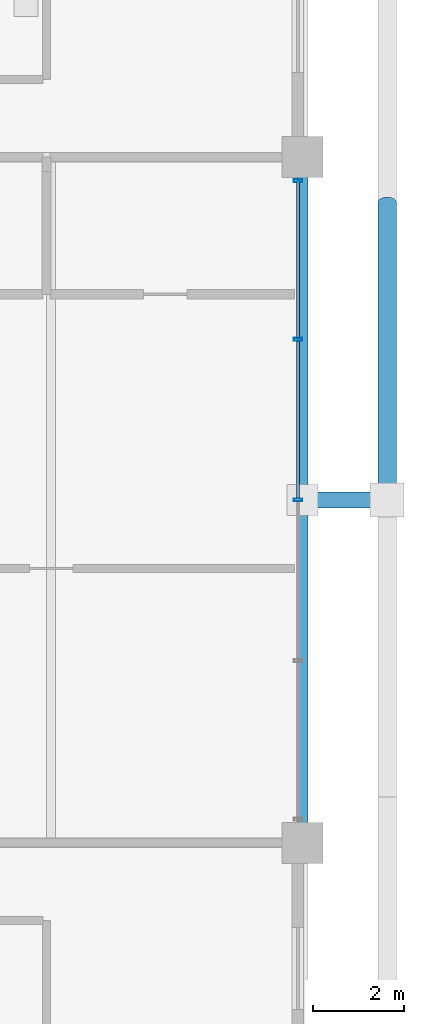
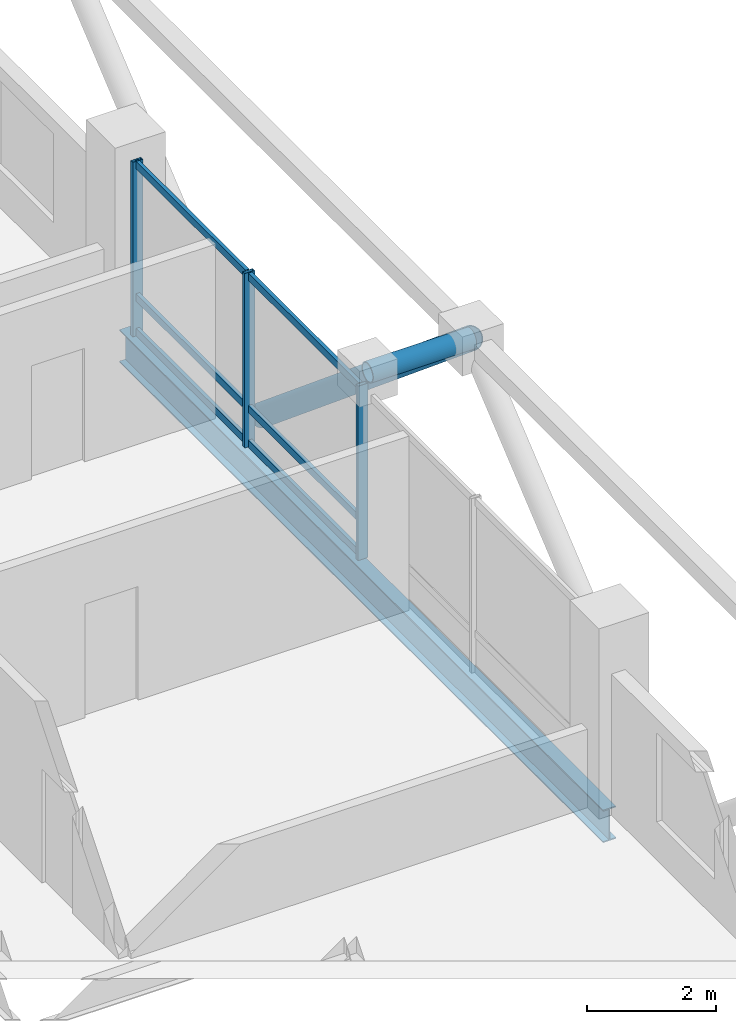
# One storey, part 13 of 25: 11 members, 1 beam, 1 element without a shape of its own.
"""IFC4 building model written with IfcOpenShell, lengths in metres."""

from ifc_helpers import new_model, si_unit, direction, frame, origin, origin_2d, place, context, subcontext, project, spatial, hollow_rectangle, hollow_circle, i_section, extrude, material, layer, layer_set, material_profile, profile_set, type_object, element, aggregate, save


model = new_model("IFC4")

# Units and contexts
model_context = context("Model", 3, precision=1e-05, world=origin(), true_north=direction((0.0, 1.0)))
body_context = subcontext(model_context, "Body", "Model", "MODEL_VIEW")
ifc_project = project(units=[si_unit("LENGTHUNIT", "METRE"), si_unit("AREAUNIT", "SQUARE_METRE"), si_unit("VOLUMEUNIT", "CUBIC_METRE"), si_unit("PLANEANGLEUNIT", "RADIAN"), si_unit("MASSUNIT", "GRAM", prefix="KILO")], contexts=[model_context])

# Site, building, storey
site_placement = place(None, origin())
site = spatial("IfcSite", under=ifc_project, at=site_placement, CompositionType="ELEMENT")
building_placement = place(site_placement, origin())
building = spatial("IfcBuilding", under=site, at=building_placement, Name="Barlavira Tower and Art Museum", CompositionType="ELEMENT")
storey_placement = place(building_placement, frame((0.0, 0.0, 301.5)))
storey = spatial("IfcBuildingStorey", under=building, at=storey_placement, Name="L79", CompositionType="ELEMENT", Elevation=301.5)

# Curtain wall, members
ifc_material_1 = material(Name="Low-iron coastal laminated glass", Category="glass")
ifc_layer = layer(ifc_material_1, 0.2099609375, Name="Low-iron coastal laminated glass")
ifc_layer_set = layer_set([ifc_layer], Name="Low-iron coastal laminated glass")
curtain_wall_type = type_object("IfcCurtainWallType", Name="Pale-Metal Unitised Curtain Wall Zone 4", PredefinedType="NOTDEFINED", material=ifc_layer_set)
curtain_wall_placement = place(storey_placement, origin())
curtain_wall = element("IfcCurtainWall", 1, at=curtain_wall_placement, inside=storey, type_object=curtain_wall_type, Name="L79 Curtain Wall CW4-L79-E-B3", PredefinedType="NOTDEFINED")
ifc_material_2 = material(Name="Pale anodised aluminium", Category="aluminium")
ifc_material_profile_1 = material_profile(ifc_material_2, hollow_rectangle(XDim=0.06494140625, YDim=0.179931640625, WallThickness=0.00390625, at=origin_2d()), Name="ALU-MULL 65x180x4")
ifc_profile_set_1 = profile_set([ifc_material_profile_1], Name="Pale anodised aluminium")
member_type_1 = type_object("IfcMemberType", Name="Curtain Wall Pale-Metal Mullion 65x180", PredefinedType="MULLION", material=ifc_profile_set_1)
member_1_placement = place(storey_placement, frame((16.89990234375, 0.0, 0.0), z_axis=(0.0, 0.0, 1.0), x_axis=(0.0, 1.0, 0.0)))
member_1 = element("IfcMember", 2, at=member_1_placement, type_object=member_type_1, Name="CW4-L79-E-B3 Mullion 2", PredefinedType="MULLION", context=body_context, shape_type="SweptSolid", body=[
    extrude(hollow_rectangle(XDim=0.06494140625, YDim=0.179931640625, WallThickness=0.00390625, at=origin_2d()), origin(), (0.0, 0.0, 1.0), 3.300048828125),
])
member_2_placement = place(storey_placement, frame((16.89990234375, 3.514892578125, 0.0), z_axis=(0.0, 0.0, 1.0), x_axis=(0.0, 1.0, 0.0)))
member_2 = element("IfcMember", 3, at=member_2_placement, type_object=member_type_1, Name="CW4-L79-E-B3 Mullion 3", PredefinedType="MULLION", context=body_context, shape_type="SweptSolid", body=[
    extrude(hollow_rectangle(XDim=0.06494140625, YDim=0.179931640625, WallThickness=0.00390625, at=origin_2d()), origin(), (0.0, 0.0, 1.0), 3.300048828125),
])
member_3_placement = place(storey_placement, frame((16.89990234375, 6.985107421875, 0.0), z_axis=(0.0, 0.0, 1.0), x_axis=(0.0, 1.0, 0.0)))
member_3 = element("IfcMember", 4, at=member_3_placement, type_object=member_type_1, Name="CW4-L79-E-B3 Mullion 4", PredefinedType="MULLION", context=body_context, shape_type="SweptSolid", body=[
    extrude(hollow_rectangle(XDim=0.06494140625, YDim=0.179931640625, WallThickness=0.00390625, at=origin_2d()), origin(), (0.0, 0.0, 1.0), 3.300048828125),
])
ifc_material_profile_2 = material_profile(ifc_material_2, hollow_rectangle(XDim=0.06494140625, YDim=0.139892578125, WallThickness=0.00390625, at=origin_2d()), Name="ALU-TRAN 65x140x4")
ifc_profile_set_2 = profile_set([ifc_material_profile_2], Name="Pale anodised aluminium")
member_type_2 = type_object("IfcMemberType", Name="Curtain Wall Pale-Metal Transom 65x140", PredefinedType="USERDEFINED", material=ifc_profile_set_2)
member_4_placement = place(storey_placement, frame((16.89990234375, 0.044921875, 0.070068359375), z_axis=(0.0, 1.0, 0.0), x_axis=(-1.0, 0.0, 0.0)))
member_4 = element("IfcMember", 5, at=member_4_placement, type_object=member_type_2, Name="CW4-L79-E-B3 Transom 2.1", ObjectType="TRANSOM", PredefinedType="USERDEFINED", context=body_context, shape_type="SweptSolid", body=[
    extrude(hollow_rectangle(XDim=0.06494140625, YDim=0.139892578125, WallThickness=0.00390625, at=origin_2d()), origin(), (0.0, 0.0, 1.0), 3.425048828125),
])
member_5_placement = place(storey_placement, frame((16.89990234375, 0.044921875, 0.72607421875), z_axis=(0.0, 1.0, 0.0), x_axis=(-1.0, 0.0, 0.0)))
member_5 = element("IfcMember", 6, at=member_5_placement, type_object=member_type_2, Name="CW4-L79-E-B3 Transom 2.2", ObjectType="TRANSOM", PredefinedType="USERDEFINED", context=body_context, shape_type="SweptSolid", body=[
    extrude(hollow_rectangle(XDim=0.06494140625, YDim=0.139892578125, WallThickness=0.00390625, at=origin_2d()), origin(), (0.0, 0.0, 1.0), 3.425048828125),
])
member_6_placement = place(storey_placement, frame((16.89990234375, 0.044921875, 3.22998046875), z_axis=(0.0, 1.0, 0.0), x_axis=(-1.0, 0.0, 0.0)))
member_6 = element("IfcMember", 7, at=member_6_placement, type_object=member_type_2, Name="CW4-L79-E-B3 Transom 2.3", ObjectType="TRANSOM", PredefinedType="USERDEFINED", context=body_context, shape_type="SweptSolid", body=[
    extrude(hollow_rectangle(XDim=0.06494140625, YDim=0.139892578125, WallThickness=0.00390625, at=origin_2d()), origin(), (0.0, 0.0, 1.0), 3.425048828125),
])
member_7_placement = place(storey_placement, frame((16.89990234375, 3.56005859375, 0.070068359375), z_axis=(0.0, 1.0, 0.0), x_axis=(-1.0, 0.0, 0.0)))
member_7 = element("IfcMember", 8, at=member_7_placement, type_object=member_type_2, Name="CW4-L79-E-B3 Transom 3.1", ObjectType="TRANSOM", PredefinedType="USERDEFINED", context=body_context, shape_type="SweptSolid", body=[
    extrude(hollow_rectangle(XDim=0.06494140625, YDim=0.139892578125, WallThickness=0.00390625, at=origin_2d()), origin(), (0.0, 0.0, 1.0), 3.425048828125),
])
member_8_placement = place(storey_placement, frame((16.89990234375, 3.56005859375, 0.72607421875), z_axis=(0.0, 1.0, 0.0), x_axis=(-1.0, 0.0, 0.0)))
member_8 = element("IfcMember", 9, at=member_8_placement, type_object=member_type_2, Name="CW4-L79-E-B3 Transom 3.2", ObjectType="TRANSOM", PredefinedType="USERDEFINED", context=body_context, shape_type="SweptSolid", body=[
    extrude(hollow_rectangle(XDim=0.06494140625, YDim=0.139892578125, WallThickness=0.00390625, at=origin_2d()), origin(), (0.0, 0.0, 1.0), 3.425048828125),
])
member_9_placement = place(storey_placement, frame((16.89990234375, 3.56005859375, 3.22998046875), z_axis=(0.0, 1.0, 0.0), x_axis=(-1.0, 0.0, 0.0)))
member_9 = element("IfcMember", 10, at=member_9_placement, type_object=member_type_2, Name="CW4-L79-E-B3 Transom 3.3", ObjectType="TRANSOM", PredefinedType="USERDEFINED", context=body_context, shape_type="SweptSolid", body=[
    extrude(hollow_rectangle(XDim=0.06494140625, YDim=0.139892578125, WallThickness=0.00390625, at=origin_2d()), origin(), (0.0, 0.0, 1.0), 3.425048828125),
])
aggregate(curtain_wall, [member_1, member_2, member_3, member_4, member_5, member_6, member_7, member_8, member_9])

# Members
ifc_material_3 = material(Name="Steel S355", Category="steel")
ifc_material_profile_3 = material_profile(ifc_material_3, hollow_circle(Radius=0.203125, WallThickness=0.01611328125, at=origin_2d()), Name="CHS 406.4x16.0")
ifc_profile_set_3 = profile_set([ifc_material_profile_3], Name="Steel S355")
member_type_3 = type_object("IfcMemberType", Name="Pale-Metal Exoskeleton Diagrid Tube CHS 406x16 Steel S355", PredefinedType="BRACE", material=ifc_profile_set_3)
member_10_placement = place(storey_placement, frame((18.85009765625, 6.5, -1.919921875), z_axis=(0.0, -0.769196053329, 0.639012857104), x_axis=(1.0, 0.0, 0.0)))
element("IfcMember", 11, at=member_10_placement, inside=storey, type_object=member_type_3, Name="L79 Exoskeleton Diagrid Tube E", PredefinedType="BRACE", context=body_context, shape_type="SweptSolid", body=[
    extrude(hollow_circle(Radius=0.203125, WallThickness=0.01611328125, at=origin_2d()), origin(), (0.0, 0.0, 1.0), 8.450439453125),
])
ifc_material_profile_4 = material_profile(ifc_material_3, hollow_circle(Radius=0.177734375, WallThickness=0.01611328125, at=origin_2d()), Name="CHS 355.6x16.0")
ifc_profile_set_4 = profile_set([ifc_material_profile_4], Name="Steel S355")
member_type_4 = type_object("IfcMemberType", Name="Pale-Metal Exoskeleton Tie Strut CHS 356x16 Steel S355", PredefinedType="STRUT", material=ifc_profile_set_4)
member_11_placement = place(storey_placement, frame((18.85009765625, 0.0, 3.47998046875), z_axis=(-1.0, 0.0, 0.0), x_axis=(0.0, -1.0, 0.0)))
element("IfcMember", 12, at=member_11_placement, inside=storey, type_object=member_type_4, Name="L79 Exoskeleton Top Tie Strut E2", PredefinedType="STRUT", context=body_context, shape_type="SweptSolid", body=[
    extrude(hollow_circle(Radius=0.177734375, WallThickness=0.01611328125, at=origin_2d()), origin(), (0.0, 0.0, 1.0), 1.85009765625),
])

# Beam
ifc_material_profile_5 = material_profile(ifc_material_3, i_section(OverallWidth=0.22998046875, OverallDepth=0.616943359375, WebThickness=0.01318359375, FlangeThickness=0.022216796875, at=origin_2d()), Name="W610x140.0")
ifc_profile_set_5 = profile_set([ifc_material_profile_5], Name="Steel S355")
beam_type = type_object("IfcBeamType", Name="Upper Shaft Spandrel Edge Beam W610x140 Steel S355", PredefinedType="SPANDREL", material=ifc_profile_set_5)
beam_placement = place(storey_placement, frame((17.0, -7.5, -0.528564453125), z_axis=(0.0, 1.0, 0.0), x_axis=(-1.0, 0.0, 0.0)))
element("IfcBeam", 13, at=beam_placement, inside=storey, type_object=beam_type, Name="L79 Spandrel 6", PredefinedType="SPANDREL", context=body_context, shape_type="SweptSolid", body=[
    extrude(i_section(OverallWidth=0.22998046875, OverallDepth=0.616943359375, WebThickness=0.01318359375, FlangeThickness=0.022216796875, at=origin_2d()), origin(), (0.0, 0.0, 1.0), 15.0),
])

save(model, "model.ifc")
